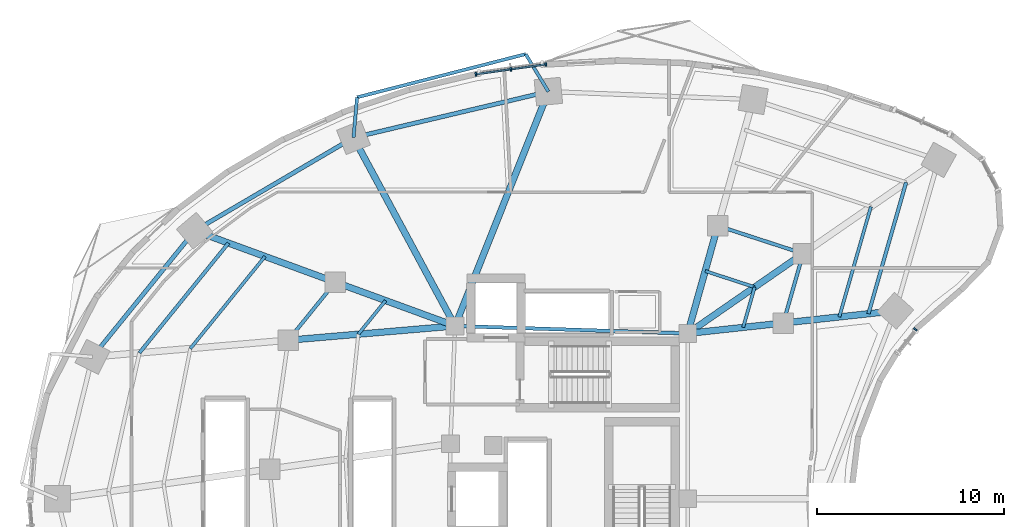
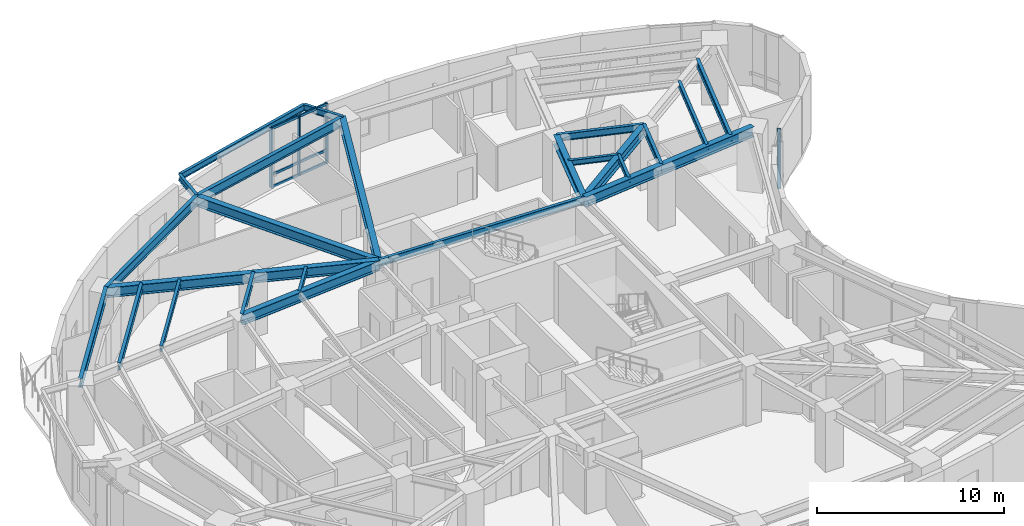
# One storey, part 5 of 14: 26 beams, 10 members, 2 elements without a shape of their own.
"""IFC4 building model written with IfcOpenShell, lengths in metres."""

from ifc_helpers import new_model, si_unit, direction, frame, origin, origin_2d, place, context, subcontext, project, spatial, rectangle, i_section, extrude, material, layer, layer_set, material_profile, profile_set, type_object, element, aggregate, save


model = new_model("IFC4")

# Units and contexts
model_context = context("Model", 3, precision=1e-05, world=origin(), true_north=direction((0.0, 1.0)))
body_context = subcontext(model_context, "Body", "Model", "MODEL_VIEW")
ifc_project = project(units=[si_unit("LENGTHUNIT", "METRE"), si_unit("AREAUNIT", "SQUARE_METRE"), si_unit("VOLUMEUNIT", "CUBIC_METRE"), si_unit("PLANEANGLEUNIT", "RADIAN"), si_unit("MASSUNIT", "GRAM", prefix="KILO")], contexts=[model_context])

# Site, building, storey
site_placement = place(None, origin())
site = spatial("IfcSite", under=ifc_project, at=site_placement, CompositionType="ELEMENT")
building_placement = place(site_placement, origin())
building = spatial("IfcBuilding", under=site, at=building_placement, Name="Korentha Bioscience Tower", CompositionType="ELEMENT")
storey_placement = place(building_placement, frame((0.0, 0.0, 46.800048828125)))
storey = spatial("IfcBuildingStorey", under=building, at=storey_placement, Name="L10", CompositionType="ELEMENT", Elevation=46.800048828125)

# Beams
ifc_material_1 = material(Name="Steel S355", Category="steel")
ifc_material_profile_1 = material_profile(ifc_material_1, i_section(OverallWidth=0.18994140625, OverallDepth=0.45703125, WebThickness=0.009033203125, FlangeThickness=0.014404296875, at=origin_2d()), Name="Steel S355")
ifc_profile_set_1 = profile_set([ifc_material_profile_1], Name="Steel S355 (MB-460)")
beam_type_1 = type_object("IfcBeamType", Name="Mid-Ring Tie Girder W460x74", PredefinedType="BEAM", material=ifc_profile_set_1)
beam_1_placement = place(storey_placement, frame((43.7265625, 40.121337890625, 3.67138671875), z_axis=(-0.950877001105, 0.309568940253, 0.0), x_axis=(-0.309568940253, -0.950877001105, 0.0)))
element("IfcBeam", 1, at=beam_1_placement, inside=storey, type_object=beam_type_1, Name="L10 Mid-Ring Tie Girder 01", PredefinedType="BEAM", context=body_context, shape_type="SweptSolid", body=[
    extrude(i_section(OverallWidth=0.18994140625, OverallDepth=0.45703125, WebThickness=0.009033203125, FlangeThickness=0.014404296875, at=origin_2d()), origin(), (0.0, 0.0, 1.0), 4.80126953125),
])
beam_2_placement = place(storey_placement, frame((18.692138671875, 38.5947265625, 3.67138671875), z_axis=(-0.629790009744, -0.776765436684, 0.0), x_axis=(0.776765436684, -0.629790009744, 0.0)))
element("IfcBeam", 2, at=beam_2_placement, inside=storey, type_object=beam_type_1, Name="L10 Mid-Ring Tie Girder 05", PredefinedType="BEAM", context=body_context, shape_type="SweptSolid", body=[
    extrude(i_section(OverallWidth=0.18994140625, OverallDepth=0.45703125, WebThickness=0.009033203125, FlangeThickness=0.014404296875, at=origin_2d()), origin(), (0.0, 0.0, 1.0), 3.998291015625),
])
beam_3_placement = place(storey_placement, frame((42.66162109375, 36.406982421875, 3.67138671875), z_axis=(0.27560557792, 0.961270807535, 0.0), x_axis=(-0.961270807535, 0.27560557792, 0.0)))
element("IfcBeam", 3, at=beam_3_placement, inside=storey, type_object=beam_type_1, Name="L10 Mid-Ring Tie Girder 16", PredefinedType="BEAM", context=body_context, shape_type="SweptSolid", body=[
    extrude(i_section(OverallWidth=0.18994140625, OverallDepth=0.45703125, WebThickness=0.009033203125, FlangeThickness=0.014404296875, at=origin_2d()), origin(), (0.0, 0.0, 1.0), 3.864013671875),
])
beam_4_placement = place(storey_placement, frame((37.550048828125, 35.85009765625, 3.67138671875), z_axis=(-0.999484526071, 0.032104238723, 0.0), x_axis=(-0.032104238723, -0.999484526071, 0.0)))
element("IfcBeam", 4, at=beam_4_placement, inside=storey, type_object=beam_type_1, Name="L10 Core Ring Tie Girder 01", PredefinedType="BEAM", context=body_context, shape_type="SweptSolid", body=[
    extrude(i_section(OverallWidth=0.18994140625, OverallDepth=0.45703125, WebThickness=0.009033203125, FlangeThickness=0.014404296875, at=origin_2d()), origin(), (0.0, 0.0, 1.0), 12.456298828125),
])

# Curtain wall, members
ifc_material_2 = material(Name="Thermally Broken Aluminium Frame", Category="aluminium")
ifc_layer = layer(ifc_material_2, 0.219970703125, Name="Thermally Broken Aluminium Frame")
ifc_layer_set = layer_set([ifc_layer], Name="Thermally Broken Aluminium Frame (CW-T2)")
curtain_wall_type = type_object("IfcCurtainWallType", Name="Solar-Screened Lab Unitised Curtain Wall CW-T2", PredefinedType="USERDEFINED", material=ifc_layer_set)
curtain_wall_1_placement = place(storey_placement, origin())
curtain_wall_1 = element("IfcCurtainWall", 5, at=curtain_wall_1_placement, inside=storey, type_object=curtain_wall_type, Name="L10 Curtain Wall 07", ObjectType="UNITISED", PredefinedType="USERDEFINED")
ifc_material_3 = material(Name="Anodised Aluminium 6063-T6", Category="aluminium")
ifc_material_profile_2 = material_profile(ifc_material_3, rectangle(XDim=0.090087890625, YDim=0.199951171875, at=origin_2d()), Name="Anodised Aluminium 6063-T6")
ifc_profile_set_2 = profile_set([ifc_material_profile_2], Name="Anodised Aluminium 6063-T6 (CW-MUL)")
member_type_1 = type_object("IfcMemberType", Name="Mullion RECT 90x200", PredefinedType="MULLION", material=ifc_profile_set_2)
member_1_placement = place(storey_placement, frame((29.95849609375, 50.247802734375, 0.0), z_axis=(0.0, 0.0, 1.0), x_axis=(-0.990167372968, -0.139887717511, 0.0)))
member_1 = element("IfcMember", 6, at=member_1_placement, type_object=member_type_1, Name="CW-L10-07 Mullion 1", PredefinedType="MULLION", context=body_context, shape_type="SweptSolid", body=[
    extrude(rectangle(XDim=0.090087890625, YDim=0.199951171875, at=origin_2d()), origin(), (0.0, 0.0, 1.0), 3.89990234375),
])
member_2_placement = place(storey_placement, frame((28.086669921875, 49.9833984375, 0.0), z_axis=(0.0, 0.0, 1.0), x_axis=(-0.990167372968, -0.139887717511, 0.0)))
member_2 = element("IfcMember", 7, at=member_2_placement, type_object=member_type_1, Name="CW-L10-07 Mullion 2", PredefinedType="MULLION", context=body_context, shape_type="SweptSolid", body=[
    extrude(rectangle(XDim=0.090087890625, YDim=0.199951171875, at=origin_2d()), origin(), (0.0, 0.0, 1.0), 3.89990234375),
])
member_3_placement = place(storey_placement, frame((26.214599609375, 49.718994140625, 0.0), z_axis=(0.0, 0.0, 1.0), x_axis=(-0.990167372968, -0.139887717511, 0.0)))
member_3 = element("IfcMember", 8, at=member_3_placement, type_object=member_type_1, Name="CW-L10-07 Mullion 3", PredefinedType="MULLION", context=body_context, shape_type="SweptSolid", body=[
    extrude(rectangle(XDim=0.090087890625, YDim=0.199951171875, at=origin_2d()), origin(), (0.0, 0.0, 1.0), 3.89990234375),
])

# Curtain wall, member
curtain_wall_2_placement = place(storey_placement, origin())
curtain_wall_2 = element("IfcCurtainWall", 9, at=curtain_wall_2_placement, inside=storey, type_object=curtain_wall_type, Name="L10 Curtain Wall 55", ObjectType="UNITISED", PredefinedType="USERDEFINED")
member_4_placement = place(storey_placement, frame((49.73291015625, 36.072021484375, 0.0), z_axis=(0.0, 0.0, 1.0), x_axis=(0.622520324648, 0.782603632371, 0.0)))
member_4 = element("IfcMember", 10, at=member_4_placement, type_object=member_type_1, Name="CW-L10-55 Mullion 2", PredefinedType="MULLION", context=body_context, shape_type="SweptSolid", body=[
    extrude(rectangle(XDim=0.090087890625, YDim=0.199951171875, at=origin_2d()), origin(), (0.0, 0.0, 1.0), 3.89990234375),
])
aggregate(curtain_wall_2, [member_4])

# Beams
ifc_material_profile_3 = material_profile(ifc_material_1, i_section(OverallWidth=0.22802734375, OverallDepth=0.60791015625, WebThickness=0.01123046875, FlangeThickness=0.017333984375, at=origin_2d()), Name="Steel S355")
ifc_profile_set_3 = profile_set([ifc_material_profile_3], Name="Steel S355 (SB-610)")
beam_type_2 = type_object("IfcBeamType", Name="Perimeter Ring Spandrel Girder W610x113", PredefinedType="SPANDREL", material=ifc_profile_set_3)
beam_5_placement = place(storey_placement, frame((30.09423828125, 48.79248046875, 3.595947265625), z_axis=(-0.973207885376, -0.229926970672, 0.0), x_axis=(0.229926970672, -0.973207885376, 0.0)))
element("IfcBeam", 11, at=beam_5_placement, inside=storey, type_object=beam_type_2, Name="L10 Perimeter Spandrel Girder 03", PredefinedType="SPANDREL", context=body_context, shape_type="SweptSolid", body=[
    extrude(i_section(OverallWidth=0.22802734375, OverallDepth=0.60791015625, WebThickness=0.01123046875, FlangeThickness=0.017333984375, at=origin_2d()), origin(), (0.0, 0.0, 1.0), 10.71484375),
])
beam_6_placement = place(storey_placement, frame((19.66650390625, 46.328857421875, 3.595947265625), z_axis=(-0.862656574181, -0.505790109653, 0.0), x_axis=(0.505790109653, -0.862656574181, 0.0)))
element("IfcBeam", 12, at=beam_6_placement, inside=storey, type_object=beam_type_2, Name="L10 Perimeter Spandrel Girder 04", PredefinedType="SPANDREL", context=body_context, shape_type="SweptSolid", body=[
    extrude(i_section(OverallWidth=0.22802734375, OverallDepth=0.60791015625, WebThickness=0.01123046875, FlangeThickness=0.017333984375, at=origin_2d()), origin(), (0.0, 0.0, 1.0), 9.849365234375),
])
beam_7_placement = place(storey_placement, frame((11.169921875, 41.34716796875, 3.595947265625), z_axis=(-0.629799210231, -0.776757976974, 0.0), x_axis=(0.776757976974, -0.629799210231, 0.0)))
element("IfcBeam", 13, at=beam_7_placement, inside=storey, type_object=beam_type_2, Name="L10 Perimeter Spandrel Girder 05", PredefinedType="SPANDREL", context=body_context, shape_type="SweptSolid", body=[
    extrude(i_section(OverallWidth=0.22802734375, OverallDepth=0.60791015625, WebThickness=0.01123046875, FlangeThickness=0.017333984375, at=origin_2d()), origin(), (0.0, 0.0, 1.0), 8.69189453125),
])
ifc_material_profile_4 = material_profile(ifc_material_1, i_section(OverallWidth=0.18994140625, OverallDepth=0.45703125, WebThickness=0.009033203125, FlangeThickness=0.014404296875, at=origin_2d()), Name="Steel S355")
ifc_profile_set_4 = profile_set([ifc_material_profile_4], Name="Steel S355 (RB-460)")
beam_type_3 = type_object("IfcBeamType", Name="Radial Laboratory Beam W460x74", PredefinedType="BEAM", material=ifc_profile_set_4)
beam_8_placement = place(storey_placement, frame((12.97509765625, 40.6865234375, 3.67138671875), z_axis=(-0.629797748553, -0.776759162107, 0.0), x_axis=(0.776759162107, -0.629797748553, 0.0)))
element("IfcBeam", 14, at=beam_8_placement, inside=storey, type_object=beam_type_3, Name="L10 Secondary Floor Beam JSTO-05", PredefinedType="BEAM", context=body_context, shape_type="SweptSolid", body=[
    extrude(i_section(OverallWidth=0.18994140625, OverallDepth=0.45703125, WebThickness=0.009033203125, FlangeThickness=0.014404296875, at=origin_2d()), origin(), (0.0, 0.0, 1.0), 7.5654296875),
])
beam_9_placement = place(storey_placement, frame((47.2216796875, 36.90380859375, 3.67138671875), z_axis=(0.275682421415, 0.961248772443, 0.0), x_axis=(-0.961248772443, 0.275682421415, 0.0)))
element("IfcBeam", 15, at=beam_9_placement, inside=storey, type_object=beam_type_3, Name="L10 Secondary Floor Beam JSTO-16", PredefinedType="BEAM", context=body_context, shape_type="SweptSolid", body=[
    extrude(i_section(OverallWidth=0.18994140625, OverallDepth=0.45703125, WebThickness=0.009033203125, FlangeThickness=0.014404296875, at=origin_2d()), origin(), (0.0, 0.0, 1.0), 7.3115234375),
])
ifc_material_profile_5 = material_profile(ifc_material_1, i_section(OverallWidth=0.35009765625, OverallDepth=0.64990234375, WebThickness=0.01611328125, FlangeThickness=0.02490234375, at=origin_2d()), Name="Steel S355")
ifc_profile_set_5 = profile_set([ifc_material_profile_5], Name="Steel S355 (RB-650)")
beam_type_4 = type_object("IfcBeamType", Name="Radial Laboratory Girder CVS 650x208", PredefinedType="BEAM", material=ifc_profile_set_5)
beam_10_placement = place(storey_placement, frame((37.550048828125, 35.85009765625, 3.574951171875), z_axis=(0.822491697625, 0.568777115694, 0.0), x_axis=(-0.568777115694, 0.822491697625, 0.0)))
element("IfcBeam", 16, at=beam_10_placement, inside=storey, type_object=beam_type_4, Name="L10 Inner Radial Girder 01", PredefinedType="BEAM", context=body_context, shape_type="SweptSolid", body=[
    extrude(i_section(OverallWidth=0.35009765625, OverallDepth=0.64990234375, WebThickness=0.01611328125, FlangeThickness=0.02490234375, at=origin_2d()), origin(), (0.0, 0.0, 1.0), 7.509521484375),
])
beam_11_placement = place(storey_placement, frame((37.550048828125, 35.85009765625, 3.574951171875), z_axis=(0.269469369205, 0.963008961049, 0.0), x_axis=(-0.963008961049, 0.269469369205, 0.0)))
element("IfcBeam", 17, at=beam_11_placement, inside=storey, type_object=beam_type_4, Name="L10 Inner Radial Girder 02", PredefinedType="BEAM", context=body_context, shape_type="SweptSolid", body=[
    extrude(i_section(OverallWidth=0.35009765625, OverallDepth=0.64990234375, WebThickness=0.01611328125, FlangeThickness=0.02490234375, at=origin_2d()), origin(), (0.0, 0.0, 1.0), 5.978759765625),
])
beam_12_placement = place(storey_placement, frame((25.10009765625, 36.25, 3.574951171875), z_axis=(0.369931007413, 0.929059228335, 0.0), x_axis=(-0.929059228335, 0.369931007413, 0.0)))
element("IfcBeam", 18, at=beam_12_placement, inside=storey, type_object=beam_type_4, Name="L10 Radial Girder 03", PredefinedType="BEAM", context=body_context, shape_type="SweptSolid", body=[
    extrude(i_section(OverallWidth=0.35009765625, OverallDepth=0.64990234375, WebThickness=0.01611328125, FlangeThickness=0.02490234375, at=origin_2d()), origin(), (0.0, 0.0, 1.0), 13.500244140625),
])
beam_13_placement = place(storey_placement, frame((25.10009765625, 36.25, 3.574951171875), z_axis=(-0.47454097106, 0.880233416081, 0.0), x_axis=(-0.880233416081, -0.47454097106, 0.0)))
element("IfcBeam", 19, at=beam_13_placement, inside=storey, type_object=beam_type_4, Name="L10 Radial Girder 04", PredefinedType="BEAM", context=body_context, shape_type="SweptSolid", body=[
    extrude(i_section(OverallWidth=0.35009765625, OverallDepth=0.64990234375, WebThickness=0.01611328125, FlangeThickness=0.02490234375, at=origin_2d()), origin(), (0.0, 0.0, 1.0), 11.4501953125),
])
beam_14_placement = place(storey_placement, frame((25.10009765625, 36.25, 3.574951171875), z_axis=(-0.939106237741, 0.343626940498, 0.0), x_axis=(-0.343626940498, -0.939106237741, 0.0)))
element("IfcBeam", 20, at=beam_14_placement, inside=storey, type_object=beam_type_4, Name="L10 Inner Radial Girder 05", PredefinedType="BEAM", context=body_context, shape_type="SweptSolid", body=[
    extrude(i_section(OverallWidth=0.35009765625, OverallDepth=0.64990234375, WebThickness=0.01611328125, FlangeThickness=0.02490234375, at=origin_2d()), origin(), (0.0, 0.0, 1.0), 6.823486328125),
])
beam_15_placement = place(storey_placement, frame((18.692138671875, 38.5947265625, 3.574951171875), z_axis=(-0.939106299948, 0.343626770491, 0.0), x_axis=(-0.343626770491, -0.939106299948, 0.0)))
element("IfcBeam", 21, at=beam_15_placement, inside=storey, type_object=beam_type_4, Name="L10 Outer Radial Girder 05", PredefinedType="BEAM", context=body_context, shape_type="SweptSolid", body=[
    extrude(i_section(OverallWidth=0.35009765625, OverallDepth=0.64990234375, WebThickness=0.01611328125, FlangeThickness=0.02490234375, at=origin_2d()), origin(), (0.0, 0.0, 1.0), 8.010009765625),
])
beam_16_placement = place(storey_placement, frame((25.10009765625, 36.25, 3.574951171875), z_axis=(-0.996385503026, -0.08494662654, 0.0), x_axis=(0.08494662654, -0.996385503026, 0.0)))
element("IfcBeam", 22, at=beam_16_placement, inside=storey, type_object=beam_type_4, Name="L10 Inner Radial Girder 06", PredefinedType="BEAM", context=body_context, shape_type="SweptSolid", body=[
    extrude(i_section(OverallWidth=0.35009765625, OverallDepth=0.64990234375, WebThickness=0.01611328125, FlangeThickness=0.02490234375, at=origin_2d()), origin(), (0.0, 0.0, 1.0), 8.95849609375),
])
beam_17_placement = place(storey_placement, frame((37.550048828125, 35.85009765625, 3.574951171875), z_axis=(0.994117709144, 0.10830503389, 0.0), x_axis=(-0.10830503389, 0.994117709144, 0.0)))
element("IfcBeam", 23, at=beam_17_placement, inside=storey, type_object=beam_type_4, Name="L10 Inner Radial Girder 16", PredefinedType="BEAM", context=body_context, shape_type="SweptSolid", body=[
    extrude(i_section(OverallWidth=0.35009765625, OverallDepth=0.64990234375, WebThickness=0.01611328125, FlangeThickness=0.02490234375, at=origin_2d()), origin(), (0.0, 0.0, 1.0), 5.141845703125),
])
beam_18_placement = place(storey_placement, frame((42.66162109375, 36.406982421875, 3.574951171875), z_axis=(0.994115805925, 0.108322501862, 0.0), x_axis=(-0.108322501862, 0.994115805925, 0.0)))
element("IfcBeam", 24, at=beam_18_placement, inside=storey, type_object=beam_type_4, Name="L10 Outer Radial Girder 16", PredefinedType="BEAM", context=body_context, shape_type="SweptSolid", body=[
    extrude(i_section(OverallWidth=0.35009765625, OverallDepth=0.64990234375, WebThickness=0.01611328125, FlangeThickness=0.02490234375, at=origin_2d()), origin(), (0.0, 0.0, 1.0), 6.03564453125),
])
ifc_material_profile_6 = material_profile(ifc_material_1, i_section(OverallWidth=0.1708984375, OverallDepth=0.35498046875, WebThickness=0.007080078125, FlangeThickness=0.01171875, at=origin_2d()), Name="Steel S355")
ifc_profile_set_6 = profile_set([ifc_material_profile_6], Name="Steel S355 (JB-360)")
beam_type_5 = type_object("IfcBeamType", Name="Secondary Laboratory Joist W360x51", PredefinedType="JOIST", material=ifc_profile_set_6)
beam_19_placement = place(storey_placement, frame((41.13232421875, 38.327392578125, 3.722412109375), z_axis=(-0.950869630746, 0.309591578254, 0.0), x_axis=(-0.309591578254, -0.950869630746, 0.0)))
element("IfcBeam", 25, at=beam_19_placement, inside=storey, type_object=beam_type_5, Name="L10 Inner Bay Joist 01", PredefinedType="JOIST", context=body_context, shape_type="SweptSolid", body=[
    extrude(i_section(OverallWidth=0.1708984375, OverallDepth=0.35498046875, WebThickness=0.007080078125, FlangeThickness=0.01171875, at=origin_2d()), origin(), (0.0, 0.0, 1.0), 2.784423828125),
])
beam_20_placement = place(storey_placement, frame((14.930908203125, 39.970947265625, 3.722412109375), z_axis=(-0.629786899984, -0.776767958021, 0.0), x_axis=(0.776767958021, -0.629786899984, 0.0)))
element("IfcBeam", 26, at=beam_20_placement, inside=storey, type_object=beam_type_5, Name="L10 Secondary Floor Beam JST-05", PredefinedType="JOIST", context=body_context, shape_type="SweptSolid", body=[
    extrude(i_section(OverallWidth=0.1708984375, OverallDepth=0.35498046875, WebThickness=0.007080078125, FlangeThickness=0.01171875, at=origin_2d()), origin(), (0.0, 0.0, 1.0), 6.34521484375),
])
beam_21_placement = place(storey_placement, frame((21.38330078125, 37.60986328125, 3.722412109375), z_axis=(-0.629791657613, -0.776764100613, 0.0), x_axis=(0.776764100613, -0.629791657613, 0.0)))
element("IfcBeam", 27, at=beam_21_placement, inside=storey, type_object=beam_type_5, Name="L10 Inner Bay Joist 05", PredefinedType="JOIST", context=body_context, shape_type="SweptSolid", body=[
    extrude(i_section(OverallWidth=0.1708984375, OverallDepth=0.35498046875, WebThickness=0.007080078125, FlangeThickness=0.01171875, at=origin_2d()), origin(), (0.0, 0.0, 1.0), 2.31884765625),
])
beam_22_placement = place(storey_placement, frame((45.66162109375, 36.73388671875, 3.722412109375), z_axis=(0.275667500387, 0.96125305161, 0.0), x_axis=(-0.96125305161, 0.275667500387, 0.0)))
element("IfcBeam", 28, at=beam_22_placement, inside=storey, type_object=beam_type_5, Name="L10 Secondary Floor Beam JST-16", PredefinedType="JOIST", context=body_context, shape_type="SweptSolid", body=[
    extrude(i_section(OverallWidth=0.1708984375, OverallDepth=0.35498046875, WebThickness=0.007080078125, FlangeThickness=0.01171875, at=origin_2d()), origin(), (0.0, 0.0, 1.0), 6.132080078125),
])
beam_23_placement = place(storey_placement, frame((40.5146484375, 36.173095703125, 3.722412109375), z_axis=(0.275613067773, 0.961268660091, 0.0), x_axis=(-0.961268660091, 0.275613067773, 0.0)))
element("IfcBeam", 29, at=beam_23_placement, inside=storey, type_object=beam_type_5, Name="L10 Inner Bay Joist 16", PredefinedType="JOIST", context=body_context, shape_type="SweptSolid", body=[
    extrude(i_section(OverallWidth=0.1708984375, OverallDepth=0.35498046875, WebThickness=0.007080078125, FlangeThickness=0.01171875, at=origin_2d()), origin(), (0.0, 0.0, 1.0), 2.2412109375),
])
ifc_material_profile_7 = material_profile(ifc_material_1, i_section(OverallWidth=0.177978515625, OverallDepth=0.406982421875, WebThickness=0.0078125, FlangeThickness=0.0126953125, at=origin_2d()), Name="Steel S355")
ifc_profile_set_7 = profile_set([ifc_material_profile_7], Name="Steel S355 (CB-410)")
beam_type_6 = type_object("IfcBeamType", Name="Sun-Ledge Cantilever Beam W410x60", PredefinedType="BEAM", material=ifc_profile_set_7)
beam_24_placement = place(storey_placement, frame((30.09423828125, 48.79248046875, 3.698486328125), z_axis=(-0.51833402313, 0.855178250697, 0.0), x_axis=(-0.855178250697, -0.51833402313, 0.0)))
element("IfcBeam", 30, at=beam_24_placement, inside=storey, type_object=beam_type_6, Name="L10 Balcony Cantilever Bracket A-L11-01", PredefinedType="BEAM", context=body_context, shape_type="SweptSolid", body=[
    extrude(i_section(OverallWidth=0.177978515625, OverallDepth=0.406982421875, WebThickness=0.0078125, FlangeThickness=0.0126953125, at=origin_2d()), origin(), (0.0, 0.0, 1.0), 2.3447265625),
])
beam_25_placement = place(storey_placement, frame((19.66650390625, 46.328857421875, 3.698486328125), z_axis=(0.087637055072, 0.996152471552, 0.0), x_axis=(-0.996152471552, 0.087637055072, 0.0)))
element("IfcBeam", 31, at=beam_25_placement, inside=storey, type_object=beam_type_6, Name="L10 Balcony Cantilever Bracket B-L11-01", PredefinedType="BEAM", context=body_context, shape_type="SweptSolid", body=[
    extrude(i_section(OverallWidth=0.177978515625, OverallDepth=0.406982421875, WebThickness=0.0078125, FlangeThickness=0.0126953125, at=origin_2d()), origin(), (0.0, 0.0, 1.0), 2.16455078125),
])
beam_26_placement = place(storey_placement, frame((28.87890625, 50.797607421875, 3.698486328125), z_axis=(-0.968690055761, -0.24827318798, 0.0), x_axis=(0.24827318798, -0.968690055761, 0.0)))
element("IfcBeam", 32, at=beam_26_placement, inside=storey, type_object=beam_type_6, Name="L10 Balcony Edge Trimmer Beam L11-01", PredefinedType="BEAM", context=body_context, shape_type="SweptSolid", body=[
    extrude(i_section(OverallWidth=0.177978515625, OverallDepth=0.406982421875, WebThickness=0.0078125, FlangeThickness=0.0126953125, at=origin_2d()), origin(), (0.0, 0.0, 1.0), 9.314453125),
])

# Member
ifc_material_profile_8 = material_profile(ifc_material_3, rectangle(XDim=0.090087890625, YDim=0.159912109375, at=origin_2d()), Name="Anodised Aluminium 6063-T6")
ifc_profile_set_8 = profile_set([ifc_material_profile_8], Name="Anodised Aluminium 6063-T6 (CW-TRN)")
member_type_2 = type_object("IfcMemberType", Name="Transom RECT 90x160", PredefinedType="USERDEFINED", material=ifc_profile_set_8)
member_5_placement = place(storey_placement, frame((29.913818359375, 50.24169921875, 0.044921875), z_axis=(-0.990159924061, -0.139940432982, 0.0), x_axis=(0.139940432982, -0.990159924061, 0.0)))
member_5 = element("IfcMember", 33, at=member_5_placement, type_object=member_type_2, Name="CW-L10-07 Bay 1 Transom 1", ObjectType="TRANSOM", PredefinedType="USERDEFINED", context=body_context, shape_type="SweptSolid", body=[
    extrude(rectangle(XDim=0.090087890625, YDim=0.159912109375, at=origin_2d()), origin(), (0.0, 0.0, 1.0), 1.800537109375),
])

member_6_placement = place(storey_placement, frame((29.913818359375, 50.24169921875, 0.849853515625), z_axis=(-0.990159924061, -0.139940432982, 0.0), x_axis=(0.139940432982, -0.990159924061, 0.0)))
member_6 = element("IfcMember", 34, at=member_6_placement, type_object=member_type_2, Name="CW-L10-07 Bay 1 Transom 2", ObjectType="TRANSOM", PredefinedType="USERDEFINED", context=body_context, shape_type="SweptSolid", body=[
    extrude(rectangle(XDim=0.090087890625, YDim=0.159912109375, at=origin_2d()), origin(), (0.0, 0.0, 1.0), 1.800537109375),
])

member_7_placement = place(storey_placement, frame((29.913818359375, 50.24169921875, 3.85498046875), z_axis=(-0.990159924061, -0.139940432982, 0.0), x_axis=(0.139940432982, -0.990159924061, 0.0)))
member_7 = element("IfcMember", 35, at=member_7_placement, type_object=member_type_2, Name="CW-L10-07 Bay 1 Transom 3", ObjectType="TRANSOM", PredefinedType="USERDEFINED", context=body_context, shape_type="SweptSolid", body=[
    extrude(rectangle(XDim=0.090087890625, YDim=0.159912109375, at=origin_2d()), origin(), (0.0, 0.0, 1.0), 1.800537109375),
])

member_8_placement = place(storey_placement, frame((28.0419921875, 49.977294921875, 0.044921875), z_axis=(-0.990159924061, -0.139940432982, 0.0), x_axis=(0.139940432982, -0.990159924061, 0.0)))
member_8 = element("IfcMember", 36, at=member_8_placement, type_object=member_type_2, Name="CW-L10-07 Bay 2 Transom 1", ObjectType="TRANSOM", PredefinedType="USERDEFINED", context=body_context, shape_type="SweptSolid", body=[
    extrude(rectangle(XDim=0.090087890625, YDim=0.159912109375, at=origin_2d()), origin(), (0.0, 0.0, 1.0), 1.800537109375),
])

member_9_placement = place(storey_placement, frame((28.0419921875, 49.977294921875, 0.849853515625), z_axis=(-0.990159924061, -0.139940432982, 0.0), x_axis=(0.139940432982, -0.990159924061, 0.0)))
member_9 = element("IfcMember", 37, at=member_9_placement, type_object=member_type_2, Name="CW-L10-07 Bay 2 Transom 2", ObjectType="TRANSOM", PredefinedType="USERDEFINED", context=body_context, shape_type="SweptSolid", body=[
    extrude(rectangle(XDim=0.090087890625, YDim=0.159912109375, at=origin_2d()), origin(), (0.0, 0.0, 1.0), 1.800537109375),
])

member_10_placement = place(storey_placement, frame((28.0419921875, 49.977294921875, 3.85498046875), z_axis=(-0.990159924061, -0.139940432982, 0.0), x_axis=(0.139940432982, -0.990159924061, 0.0)))
member_10 = element("IfcMember", 38, at=member_10_placement, type_object=member_type_2, Name="CW-L10-07 Bay 2 Transom 3", ObjectType="TRANSOM", PredefinedType="USERDEFINED", context=body_context, shape_type="SweptSolid", body=[
    extrude(rectangle(XDim=0.090087890625, YDim=0.159912109375, at=origin_2d()), origin(), (0.0, 0.0, 1.0), 1.800537109375),
])

aggregate(curtain_wall_1, [member_1, member_2, member_3, member_5, member_6, member_7, member_8, member_9, member_10])

save(model, "model.ifc")
